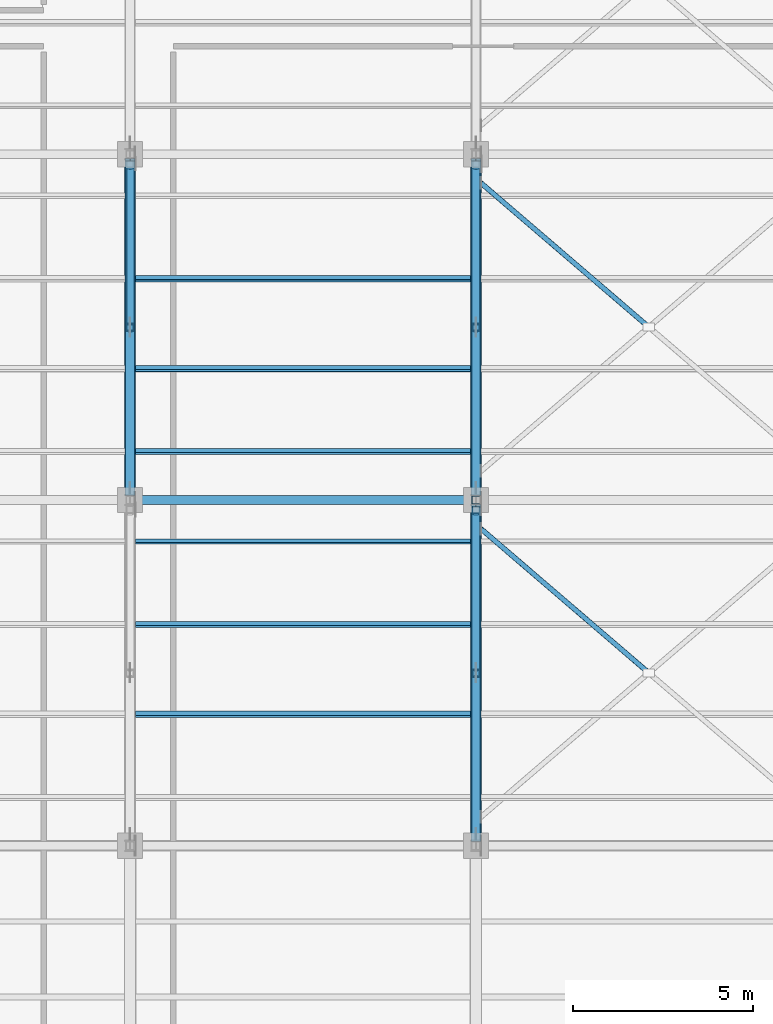
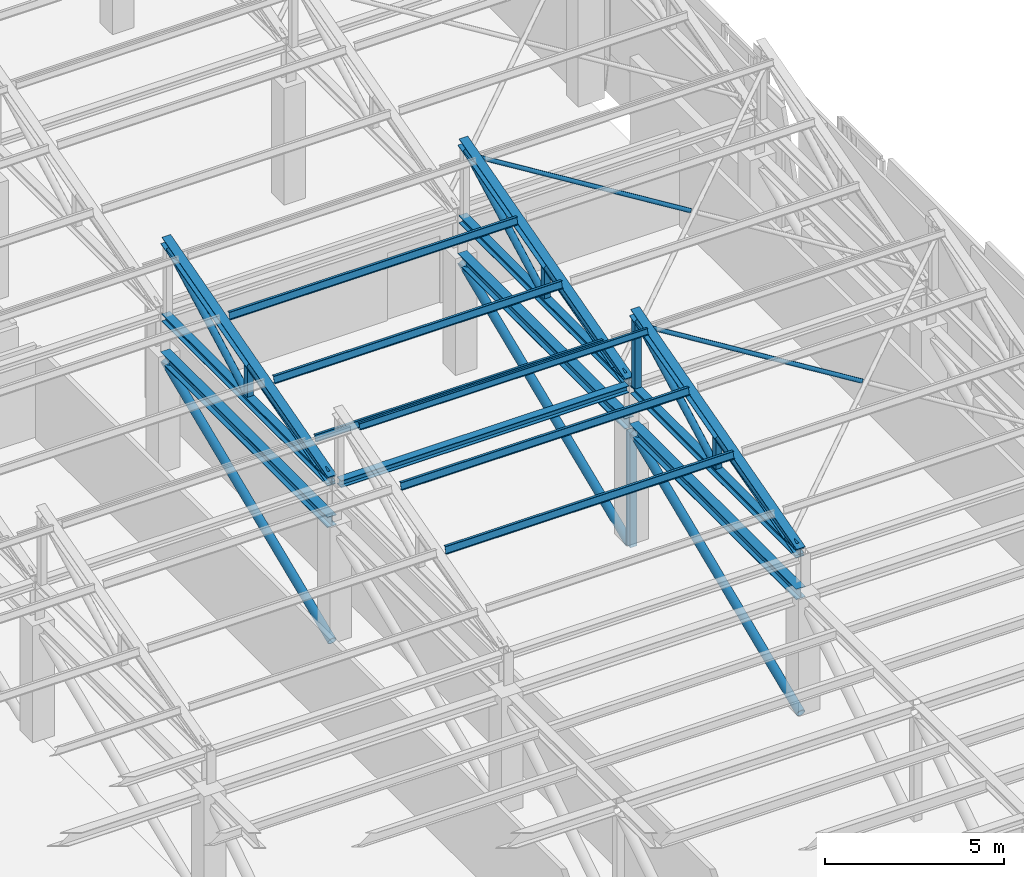
# One storey, part 18 of 71: 31 members, 1 beam.
"""IFC4 building model written with IfcOpenShell, lengths in metres."""

from ifc_helpers import new_model, si_unit, direction, frame, origin, origin_2d, place, context, subcontext, project, spatial, hollow_rectangle, hollow_circle, i_section, extrude, material, material_profile, profile_set, type_object, element, save


model = new_model("IFC4")

# Units and contexts
model_context = context("Model", 3, precision=1e-05, world=origin(), true_north=direction((0.0, 1.0)))
body_context = subcontext(model_context, "Body", "Model", "MODEL_VIEW")
ifc_project = project(units=[si_unit("LENGTHUNIT", "METRE"), si_unit("AREAUNIT", "SQUARE_METRE"), si_unit("VOLUMEUNIT", "CUBIC_METRE"), si_unit("PLANEANGLEUNIT", "RADIAN"), si_unit("MASSUNIT", "GRAM", prefix="KILO")], contexts=[model_context])

# Site, building, storey
site_placement = place(None, origin())
site = spatial("IfcSite", under=ifc_project, at=site_placement, CompositionType="ELEMENT")
building_placement = place(site_placement, origin())
building = spatial("IfcBuilding", under=site, at=building_placement, Name="Bempovik Park Faculty of Sciences", CompositionType="ELEMENT")
storey_placement = place(building_placement, frame((0.0, 0.0, 14.10009765625)))
storey = spatial("IfcBuildingStorey", under=building, at=storey_placement, Name="L03", CompositionType="ELEMENT", Elevation=14.10009765625)

# Beam
ifc_material = material(Name="Steel S355", Category="steel")
ifc_material_profile_1 = material_profile(ifc_material, i_section(OverallWidth=0.239990234375, OverallDepth=0.239990234375, WebThickness=0.010009765625, FlangeThickness=0.01708984375, at=origin_2d()), Name="HEB 240")
ifc_profile_set_1 = profile_set([ifc_material_profile_1], Name="Steel S355")
beam_type = type_object("IfcBeamType", Name="B-042 HEB 240", PredefinedType="BEAM", material=ifc_profile_set_1)
beam_placement = place(storey_placement, frame((98.550048828125, 29.39990234375, 5.14990234375), z_axis=(1.0, 0.0, 0.0), x_axis=(0.0, 1.0, 0.0)))
element("IfcBeam", 1, at=beam_placement, inside=storey, type_object=beam_type, Name="Sawtooth Valley Tie Beam V1-B2 (98.4-108.0)", PredefinedType="BEAM", context=body_context, shape_type="SweptSolid", body=[
    extrude(i_section(OverallWidth=0.239990234375, OverallDepth=0.239990234375, WebThickness=0.010009765625, FlangeThickness=0.01708984375, at=origin_2d()), origin(), (0.0, 0.0, 1.0), 9.300048828125),
])

# Members
ifc_material_profile_2 = material_profile(ifc_material, i_section(OverallWidth=0.110107421875, OverallDepth=0.219970703125, WebThickness=0.005859375, FlangeThickness=0.00927734375, at=origin_2d()), Name="IPE 220")
ifc_profile_set_2 = profile_set([ifc_material_profile_2], Name="Steel S355")
member_type_1 = type_object("IfcMemberType", Name="M-18 IPE 220", PredefinedType="PURLIN", material=ifc_profile_set_2)
member_1_placement = place(storey_placement, frame((98.5458984375, 30.743896484375, 5.847412109375), z_axis=(1.0, 0.0, 0.0), x_axis=(0.0, 0.965925826289, -0.258819045103)))
element("IfcMember", 2, at=member_1_placement, inside=storey, type_object=member_type_1, Name="Sawtooth Roof Purlin V1-B2 (98.4-108.0) #1", PredefinedType="PURLIN", context=body_context, shape_type="SweptSolid", body=[
    extrude(i_section(OverallWidth=0.110107421875, OverallDepth=0.219970703125, WebThickness=0.005859375, FlangeThickness=0.00927734375, at=origin_2d()), origin(), (0.0, 0.0, 1.0), 9.30810546875),
])
ifc_material_profile_3 = material_profile(ifc_material, hollow_circle(Radius=0.109619140625, WallThickness=0.010009765625, at=origin_2d()), Name="CHS 219.1x10")
ifc_profile_set_3 = profile_set([ifc_material_profile_3], Name="Steel S355")
member_type_2 = type_object("IfcMemberType", Name="M-22 CHS 219.1x10", PredefinedType="BRACE", material=ifc_profile_set_3)
for number, where, z_axis, x_axis, name in (
    (3, (108.0, 24.705078125, 5.285888671875), (0.0, 0.882187464719, 0.470898372361), (-1.0, 0.0, 0.0), "Sawtooth Web Diagonal 2 V1-B1 (108.0)"),
    (4, (98.39990234375, 34.304931640625, 5.285888671875), (0.0, 0.882187464719, 0.470898372361), (-1.0, 0.0, 0.0), "Sawtooth Web Diagonal 2 V1-B2 (98.4)"),
    (5, (108.0, 34.304931640625, 5.285888671875), (0.0, 0.882187464719, 0.470898372361), (-1.0, 0.0, 0.0), "Sawtooth Web Diagonal 2 V1-B2 (108.0)"),
):
    element("IfcMember", number, at=place(storey_placement, frame(where, z_axis=z_axis, x_axis=x_axis)), inside=storey, type_object=member_type_2, Name=name, PredefinedType="BRACE", context=body_context, shape_type="SweptSolid", body=[
        extrude(hollow_circle(Radius=0.109619140625, WallThickness=0.010009765625, at=origin_2d()), origin(), (0.0, 0.0, 1.0), 4.902587890625),
    ])
ifc_material_profile_4 = material_profile(ifc_material, i_section(OverallWidth=0.300048828125, OverallDepth=0.360107421875, WebThickness=0.012451171875, FlangeThickness=0.0224609375, at=origin_2d()), Name="HEB 360")
ifc_profile_set_4 = profile_set([ifc_material_profile_4], Name="Steel S355")
member_type_3 = type_object("IfcMemberType", Name="M-23 HEB 360", PredefinedType="CHORD", material=ifc_profile_set_4)
member_2_placement = place(storey_placement, frame((98.39990234375, 29.531982421875, 3.7998046875), z_axis=(0.0, 1.0, 0.0), x_axis=(-1.0, 0.0, 0.0)))
element("IfcMember", 6, at=member_2_placement, inside=storey, type_object=member_type_3, Name="Cantilever Truss 5 Top Chord 4", PredefinedType="CHORD", context=body_context, shape_type="SweptSolid", body=[
    extrude(i_section(OverallWidth=0.300048828125, OverallDepth=0.360107421875, WebThickness=0.012451171875, FlangeThickness=0.0224609375, at=origin_2d()), origin(), (0.0, 0.0, 1.0), 9.3359375),
])
member_3_placement = place(storey_placement, frame((108.0, 19.931884765625, 3.7998046875), z_axis=(0.0, 1.0, 0.0), x_axis=(-1.0, 0.0, 0.0)))
element("IfcMember", 7, at=member_3_placement, inside=storey, type_object=member_type_3, Name="Cantilever Truss 6 Top Chord 3", PredefinedType="CHORD", context=body_context, shape_type="SweptSolid", body=[
    extrude(i_section(OverallWidth=0.300048828125, OverallDepth=0.360107421875, WebThickness=0.012451171875, FlangeThickness=0.0224609375, at=origin_2d()), origin(), (0.0, 0.0, 1.0), 9.336181640625),
])
member_4_placement = place(storey_placement, frame((108.0, 29.531982421875, 3.7998046875), z_axis=(0.0, 1.0, 0.0), x_axis=(-1.0, 0.0, 0.0)))
element("IfcMember", 8, at=member_4_placement, inside=storey, type_object=member_type_3, Name="Cantilever Truss 6 Top Chord 4", PredefinedType="CHORD", context=body_context, shape_type="SweptSolid", body=[
    extrude(i_section(OverallWidth=0.300048828125, OverallDepth=0.360107421875, WebThickness=0.012451171875, FlangeThickness=0.0224609375, at=origin_2d()), origin(), (0.0, 0.0, 1.0), 9.3359375),
])
ifc_material_profile_5 = material_profile(ifc_material, i_section(OverallWidth=0.280029296875, OverallDepth=0.280029296875, WebThickness=0.010498046875, FlangeThickness=0.01806640625, at=origin_2d()), Name="HEB 280")
ifc_profile_set_5 = profile_set([ifc_material_profile_5], Name="Steel S355")
member_type_4 = type_object("IfcMemberType", Name="M-26 HEB 280", PredefinedType="CHORD", material=ifc_profile_set_5)
member_5_placement = place(storey_placement, frame((108.0, 19.9560546875, 5.212158203125), z_axis=(0.0, 0.963723405845, 0.266902973056), x_axis=(-1.0, 0.0, 0.0)))
element("IfcMember", 9, at=member_5_placement, inside=storey, type_object=member_type_4, Name="Sawtooth Top Rafter Chord V1-B1 (108.0)", PredefinedType="CHORD", context=body_context, shape_type="SweptSolid", body=[
    extrude(i_section(OverallWidth=0.280029296875, OverallDepth=0.280029296875, WebThickness=0.010498046875, FlangeThickness=0.01806640625, at=origin_2d()), origin(), (0.0, 0.0, 1.0), 9.637451171875),
])
for number, where, z_axis, x_axis, name in (
    (10, (98.39990234375, 29.555908203125, 5.212158203125), (0.0, 0.963725210394, 0.266896457173), (-1.0, 0.0, 0.0), "Sawtooth Top Rafter Chord V1-B2 (98.4)"),
    (11, (108.0, 29.555908203125, 5.212158203125), (0.0, 0.963725210394, 0.266896457173), (-1.0, 0.0, 0.0), "Sawtooth Top Rafter Chord V1-B2 (108.0)"),
):
    element("IfcMember", number, at=place(storey_placement, frame(where, z_axis=z_axis, x_axis=x_axis)), inside=storey, type_object=member_type_4, Name=name, PredefinedType="CHORD", context=body_context, shape_type="SweptSolid", body=[
        extrude(i_section(OverallWidth=0.280029296875, OverallDepth=0.280029296875, WebThickness=0.010498046875, FlangeThickness=0.01806640625, at=origin_2d()), origin(), (0.0, 0.0, 1.0), 9.6376953125),
    ])
ifc_material_profile_6 = material_profile(ifc_material, hollow_rectangle(XDim=0.219970703125, YDim=0.219970703125, WallThickness=0.010009765625, at=origin_2d()), Name="SHS 220x220x10")
ifc_profile_set_6 = profile_set([ifc_material_profile_6], Name="Steel S355")
member_type_5 = type_object("IfcMemberType", Name="M-32 SHS 220x220x10", PredefinedType="POST", material=ifc_profile_set_6)
member_6_placement = place(storey_placement, frame((108.0, 29.39990234375, -0.294189453125), z_axis=(0.0, 0.0, 1.0), x_axis=(1.0, 0.0, 0.0)))
element("IfcMember", 12, at=member_6_placement, inside=storey, type_object=member_type_5, Name="Cantilever Truss 6 L03 Post 4", PredefinedType="POST", context=body_context, shape_type="SweptSolid", body=[
    extrude(hollow_rectangle(XDim=0.219970703125, YDim=0.219970703125, WallThickness=0.010009765625, at=origin_2d()), origin(), (0.0, 0.0, 1.0), 3.908203125),
])
ifc_material_profile_7 = material_profile(ifc_material, hollow_rectangle(XDim=0.199951171875, YDim=0.199951171875, WallThickness=0.010009765625, at=origin_2d()), Name="SHS 200x200x10")
ifc_profile_set_7 = profile_set([ifc_material_profile_7], Name="Steel S355")
member_type_6 = type_object("IfcMemberType", Name="M-44 SHS 200x200x10", PredefinedType="POST", material=ifc_profile_set_7)
member_7_placement = place(storey_placement, frame((108.0, 29.1298828125, 5.285888671875), z_axis=(0.0, 0.0, 1.0), x_axis=(1.0, 0.0, 0.0)))
element("IfcMember", 13, at=member_7_placement, inside=storey, type_object=member_type_6, Name="Sawtooth North-Light Post V1-B1 (108.0)", PredefinedType="POST", context=body_context, shape_type="SweptSolid", body=[
    extrude(hollow_rectangle(XDim=0.199951171875, YDim=0.199951171875, WallThickness=0.010009765625, at=origin_2d()), origin(), (0.0, 0.0, 1.0), 2.30859375),
])
for number, where, z_axis, x_axis, name in (
    (14, (108.0, 24.60009765625, 5.285888671875), (0.0, 0.0, 1.0), (1.0, 0.0, 0.0), "Sawtooth Mid Post V1-B1 (108.0)"),
    (15, (98.39990234375, 34.199951171875, 5.285888671875), (0.0, 0.0, 1.0), (1.0, 0.0, 0.0), "Sawtooth Mid Post V1-B2 (98.4)"),
    (16, (108.0, 34.199951171875, 5.285888671875), (0.0, 0.0, 1.0), (1.0, 0.0, 0.0), "Sawtooth Mid Post V1-B2 (108.0)"),
):
    element("IfcMember", number, at=place(storey_placement, frame(where, z_axis=z_axis, x_axis=x_axis)), inside=storey, type_object=member_type_6, Name=name, PredefinedType="POST", context=body_context, shape_type="SweptSolid", body=[
        extrude(hollow_rectangle(XDim=0.199951171875, YDim=0.199951171875, WallThickness=0.010009765625, at=origin_2d()), origin(), (0.0, 0.0, 1.0), 1.052490234375),
    ])
ifc_material_profile_8 = material_profile(ifc_material, i_section(OverallWidth=0.10009765625, OverallDepth=0.199951171875, WebThickness=0.005615234375, FlangeThickness=0.008544921875, at=origin_2d()), Name="IPE 200")
ifc_profile_set_8 = profile_set([ifc_material_profile_8], Name="Steel S355")
member_type_7 = type_object("IfcMemberType", Name="M-48 IPE 200", PredefinedType="PURLIN", material=ifc_profile_set_8)
member_8_placement = place(storey_placement, frame((98.5458984375, 28.248046875, 7.7607421875), z_axis=(1.0, 0.0, 0.0), x_axis=(0.0, 0.965925826289, -0.258819045103)))
element("IfcMember", 17, at=member_8_placement, inside=storey, type_object=member_type_7, Name="Sawtooth Roof Purlin V1-B1 (98.4-108.0) #4", PredefinedType="PURLIN", context=body_context, shape_type="SweptSolid", body=[
    extrude(i_section(OverallWidth=0.10009765625, OverallDepth=0.199951171875, WebThickness=0.005615234375, FlangeThickness=0.008544921875, at=origin_2d()), origin(), (0.0, 0.0, 1.0), 9.30810546875),
])
ifc_material_profile_9 = material_profile(ifc_material, i_section(OverallWidth=0.260009765625, OverallDepth=0.260009765625, WebThickness=0.010009765625, FlangeThickness=0.017578125, at=origin_2d()), Name="HEB 260")
ifc_profile_set_9 = profile_set([ifc_material_profile_9], Name="Steel S355")
member_type_8 = type_object("IfcMemberType", Name="M-58 HEB 260", PredefinedType="CHORD", material=ifc_profile_set_9)
member_9_placement = place(storey_placement, frame((108.0, 19.9560546875, 5.14990234375), z_axis=(0.0, 1.0, 0.0), x_axis=(-1.0, 0.0, 0.0)))
element("IfcMember", 18, at=member_9_placement, inside=storey, type_object=member_type_8, Name="Sawtooth Bottom Chord V1-B1 (108.0)", PredefinedType="CHORD", context=body_context, shape_type="SweptSolid", body=[
    extrude(i_section(OverallWidth=0.260009765625, OverallDepth=0.260009765625, WebThickness=0.010009765625, FlangeThickness=0.017578125, at=origin_2d()), origin(), (0.0, 0.0, 1.0), 9.287841796875),
])
for number, where, z_axis, x_axis, name in (
    (19, (98.39990234375, 29.555908203125, 5.14990234375), (0.0, 1.0, 0.0), (-1.0, 0.0, 0.0), "Sawtooth Bottom Chord V1-B2 (98.4)"),
    (20, (108.0, 29.555908203125, 5.14990234375), (0.0, 1.0, 0.0), (-1.0, 0.0, 0.0), "Sawtooth Bottom Chord V1-B2 (108.0)"),
):
    element("IfcMember", number, at=place(storey_placement, frame(where, z_axis=z_axis, x_axis=x_axis)), inside=storey, type_object=member_type_8, Name=name, PredefinedType="CHORD", context=body_context, shape_type="SweptSolid", body=[
        extrude(i_section(OverallWidth=0.260009765625, OverallDepth=0.260009765625, WebThickness=0.010009765625, FlangeThickness=0.017578125, at=origin_2d()), origin(), (0.0, 0.0, 1.0), 9.2880859375),
    ])
ifc_material_profile_10 = material_profile(ifc_material, hollow_circle(Radius=0.136474609375, WallThickness=0.012451171875, at=origin_2d()), Name="CHS 273x12.5")
ifc_profile_set_10 = profile_set([ifc_material_profile_10], Name="Steel S355")
member_type_9 = type_object("IfcMemberType", Name="M-78 CHS 273x12.5", PredefinedType="BRACE", material=ifc_profile_set_10)
member_10_placement = place(storey_placement, frame((98.39990234375, 29.534912109375, -0.294189453125), z_axis=(0.0, 0.922349797611, 0.386355860377), x_axis=(-1.0, 0.0, 0.0)))
element("IfcMember", 21, at=member_10_placement, inside=storey, type_object=member_type_9, Name="Cantilever Truss 5 L03 Diagonal 4", PredefinedType="BRACE", context=body_context, shape_type="SweptSolid", body=[
    extrude(hollow_circle(Radius=0.136474609375, WallThickness=0.012451171875, at=origin_2d()), origin(), (0.0, 0.0, 1.0), 10.115478515625),
])
member_11_placement = place(storey_placement, frame((108.0, 19.93505859375, -0.294189453125), z_axis=(0.0, 0.922346194813, 0.386364461247), x_axis=(-1.0, 0.0, 0.0)))
element("IfcMember", 22, at=member_11_placement, inside=storey, type_object=member_type_9, Name="Cantilever Truss 6 L03 Diagonal 3", PredefinedType="BRACE", context=body_context, shape_type="SweptSolid", body=[
    extrude(hollow_circle(Radius=0.136474609375, WallThickness=0.012451171875, at=origin_2d()), origin(), (0.0, 0.0, 1.0), 10.115234375),
])
member_12_placement = place(storey_placement, frame((108.0, 29.534912109375, -0.294189453125), z_axis=(0.0, 0.922349797611, 0.386355860377), x_axis=(-1.0, 0.0, 0.0)))
element("IfcMember", 23, at=member_12_placement, inside=storey, type_object=member_type_9, Name="Cantilever Truss 6 L03 Diagonal 4", PredefinedType="BRACE", context=body_context, shape_type="SweptSolid", body=[
    extrude(hollow_circle(Radius=0.136474609375, WallThickness=0.012451171875, at=origin_2d()), origin(), (0.0, 0.0, 1.0), 10.115478515625),
])
ifc_material_profile_11 = material_profile(ifc_material, hollow_circle(Radius=0.122314453125, WallThickness=0.010009765625, at=origin_2d()), Name="CHS 244.5x10")
ifc_profile_set_11 = profile_set([ifc_material_profile_11], Name="Steel S355")
member_type_10 = type_object("IfcMemberType", Name="M-82 CHS 244.5x10", PredefinedType="BRACE", material=ifc_profile_set_11)
member_13_placement = place(storey_placement, frame((108.0, 20.1298828125, 5.285888671875), z_axis=(0.0, 0.972142472623, 0.23439072704), x_axis=(-1.0, 0.0, 0.0)))
element("IfcMember", 24, at=member_13_placement, inside=storey, type_object=member_type_10, Name="Sawtooth Web Diagonal 1 V1-B1 (108.0)", PredefinedType="BRACE", context=body_context, shape_type="SweptSolid", body=[
    extrude(hollow_circle(Radius=0.122314453125, WallThickness=0.010009765625, at=origin_2d()), origin(), (0.0, 0.0, 1.0), 4.490234375),
])
for number, where, z_axis, x_axis, name in (
    (25, (98.39990234375, 29.72998046875, 5.285888671875), (0.0, 0.972139485331, 0.234403116576), (-1.0, 0.0, 0.0), "Sawtooth Web Diagonal 1 V1-B2 (98.4)"),
    (26, (108.0, 29.72998046875, 5.285888671875), (0.0, 0.972139485331, 0.234403116576), (-1.0, 0.0, 0.0), "Sawtooth Web Diagonal 1 V1-B2 (108.0)"),
):
    element("IfcMember", number, at=place(storey_placement, frame(where, z_axis=z_axis, x_axis=x_axis)), inside=storey, type_object=member_type_10, Name=name, PredefinedType="BRACE", context=body_context, shape_type="SweptSolid", body=[
        extrude(hollow_circle(Radius=0.122314453125, WallThickness=0.010009765625, at=origin_2d()), origin(), (0.0, 0.0, 1.0), 4.489990234375),
    ])
ifc_material_profile_12 = material_profile(ifc_material, hollow_circle(Radius=0.06982421875, WallThickness=0.00634765625, at=origin_2d()), Name="CHS 139.7x6.3")
ifc_profile_set_12 = profile_set([ifc_material_profile_12], Name="Steel S355")
member_type_11 = type_object("IfcMemberType", Name="M-83 CHS 139.7x6.3", PredefinedType="BRACE", material=ifc_profile_set_12)
member_14_placement = place(storey_placement, frame((108.139892578125, 28.60009765625, 7.5703125), z_axis=(0.747490158812, -0.641636778891, -0.171932272867), x_axis=(0.651335971051, 0.758789465408, 0.0)))
element("IfcMember", 27, at=member_14_placement, inside=storey, type_object=member_type_11, Name="Sawtooth Split X-Brace Half A V1-B1 (108.0-117.6)", PredefinedType="BRACE", context=body_context, shape_type="SweptSolid", body=[
    extrude(hollow_circle(Radius=0.06982421875, WallThickness=0.00634765625, at=origin_2d()), origin(), (0.0, 0.0, 1.0), 6.144287109375),
])
member_15_placement = place(storey_placement, frame((108.139892578125, 38.199951171875, 7.5703125), z_axis=(0.747509216421, -0.641613401953, -0.17193665636), x_axis=(0.65131274657, 0.758809400413, 0.0)))
element("IfcMember", 28, at=member_15_placement, inside=storey, type_object=member_type_11, Name="Sawtooth Split X-Brace Half A V1-B2 (108.0-117.6)", PredefinedType="BRACE", context=body_context, shape_type="SweptSolid", body=[
    extrude(hollow_circle(Radius=0.06982421875, WallThickness=0.00634765625, at=origin_2d()), origin(), (0.0, 0.0, 1.0), 6.14404296875),
])
ifc_material_profile_13 = material_profile(ifc_material, i_section(OverallWidth=0.1201171875, OverallDepth=0.239990234375, WebThickness=0.006103515625, FlangeThickness=0.009765625, at=origin_2d()), Name="IPE 240")
ifc_profile_set_13 = profile_set([ifc_material_profile_13], Name="Steel S355")
member_type_12 = type_object("IfcMemberType", Name="M-86 IPE 240", PredefinedType="PURLIN", material=ifc_profile_set_13)
for number, where, z_axis, x_axis, name in (
    (29, (98.5458984375, 23.447998046875, 6.45458984375), (1.0, 0.0, 0.0), (0.0, 0.965925826289, -0.258819045103), "Sawtooth Roof Purlin V1-B1 (98.4-108.0) #2"),
    (30, (98.5458984375, 25.944091796875, 7.12353515625), (1.0, 0.0, 0.0), (0.0, 0.965925826289, -0.258819045103), "Sawtooth Roof Purlin V1-B1 (98.4-108.0) #3"),
    (31, (98.5458984375, 33.048095703125, 6.45458984375), (1.0, 0.0, 0.0), (0.0, 0.965925826289, -0.258819045103), "Sawtooth Roof Purlin V1-B2 (98.4-108.0) #2"),
    (32, (98.5458984375, 35.5439453125, 7.12353515625), (1.0, 0.0, 0.0), (0.0, 0.965925826289, -0.258819045103), "Sawtooth Roof Purlin V1-B2 (98.4-108.0) #3"),
):
    element("IfcMember", number, at=place(storey_placement, frame(where, z_axis=z_axis, x_axis=x_axis)), inside=storey, type_object=member_type_12, Name=name, PredefinedType="PURLIN", context=body_context, shape_type="SweptSolid", body=[
        extrude(i_section(OverallWidth=0.1201171875, OverallDepth=0.239990234375, WebThickness=0.006103515625, FlangeThickness=0.009765625, at=origin_2d()), origin(), (0.0, 0.0, 1.0), 9.30810546875),
    ])

save(model, "model.ifc")
